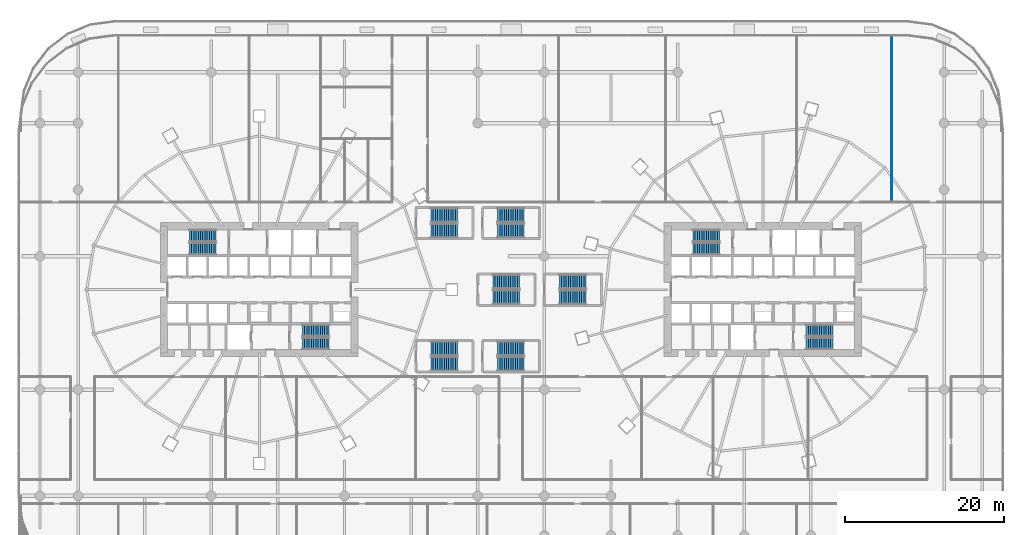
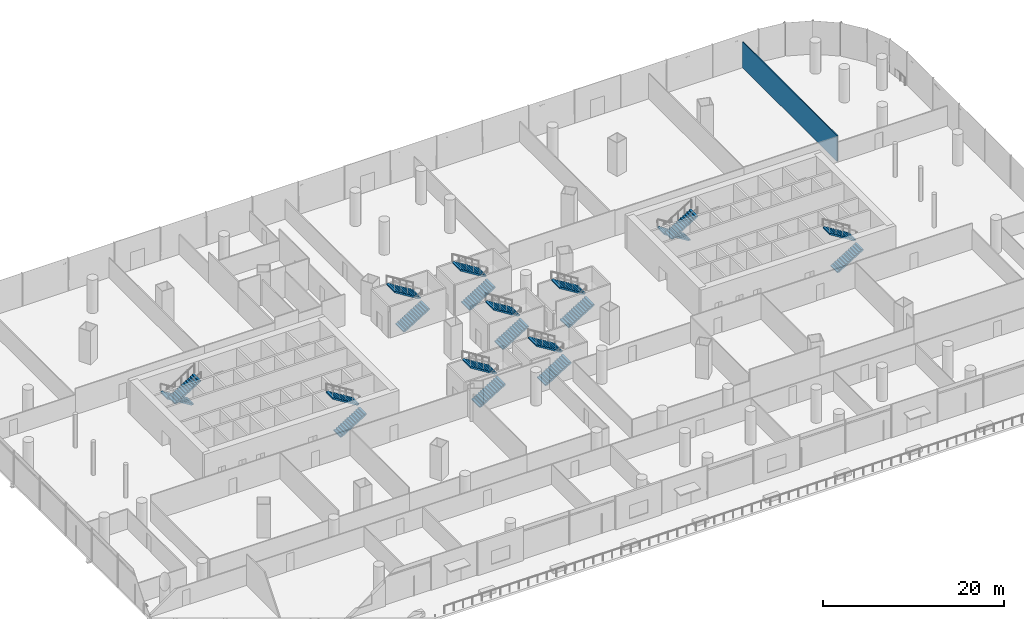
# One storey, part 35 of 43: 20 stair flights, 1 wall, 10 elements without a shape of their own.
"""IFC4 building model written with IfcOpenShell, lengths in metres."""

import ifcopenshell
import ifcopenshell.guid

model = None  # the IFC model being written
_history = None  # IfcOwnerHistory: only IFC2X3 demands one
_inside = {}  # id of a spatial element -> (the spatial element, [elements in it])
_under = {}  # id of a project, library or spatial element -> (it, [spatial elements below it])
_declared = {}  # id of a project -> (the project, [libraries it declares])
_typed = {}  # id of a type object -> (the type object, [elements of that type])
_made_of = {}  # id of a material, layer set ... -> (it, [elements and type objects made of it])


def new_model(schema):
    """Start an empty IFC model of exactly this schema.

    Asked for "IFC4X3", IfcOpenShell would pick the latest addendum, in which some entities
    have other attributes; the version numbers below select the first issue.
    IFC2X3 requires an IfcOwnerHistory on every rooted entity: one is made here for all.
    """
    global model, _history
    if schema == "IFC4X3":
        model = ifcopenshell.file(schema_version=(4, 3, 0, 0))
    else:
        model = ifcopenshell.file(schema=schema)
    _inside.clear()
    _under.clear()
    _declared.clear()
    _typed.clear()
    _made_of.clear()
    _history = None
    if model.schema == "IFC2X3":
        org = make("IfcOrganization", Name="unknown")
        user = make(
            "IfcPersonAndOrganization",
            ThePerson=make("IfcPerson", FamilyName="unknown"),
            TheOrganization=org,
        )
        app = make(
            "IfcApplication",
            ApplicationDeveloper=org,
            Version="unknown",
            ApplicationFullName="unknown",
            ApplicationIdentifier="unknown",
        )
        _history = make(
            "IfcOwnerHistory",
            OwningUser=user,
            OwningApplication=app,
            ChangeAction="ADDED",
            CreationDate=0,
        )
    return model


def make(cls, **values):
    """One entity of the class cls with the attributes given. An attribute that is None is left unset."""
    return model.create_entity(
        cls, **{name: value for name, value in values.items() if value is not None}
    )


def rooted(cls, **values):
    """An entity with a GlobalId (a new one), such as an element, a storey or a relation."""
    return make(cls, GlobalId=ifcopenshell.guid.new(), OwnerHistory=_history, **values)


def si_unit(unit_type, name, prefix=None):
    """IfcSIUnit, for example si_unit("LENGTHUNIT", "METRE", prefix="MILLI")."""
    return make("IfcSIUnit", UnitType=unit_type, Prefix=prefix, Name=name)


def assignment(units):
    """IfcUnitAssignment: the units of a project."""
    return None if units is None else make("IfcUnitAssignment", Units=units)


def point(xyz):
    """IfcCartesianPoint."""
    return None if xyz is None else make("IfcCartesianPoint", Coordinates=xyz)


def direction(xyz):
    """IfcDirection."""
    return None if xyz is None else make("IfcDirection", DirectionRatios=xyz)


def frame(location, z_axis=None, x_axis=None):
    """IfcAxis2Placement3D, a coordinate frame: its origin and axes. An axis left out is left unset."""
    return make(
        "IfcAxis2Placement3D",
        Location=point(location),
        Axis=direction(z_axis),
        RefDirection=direction(x_axis),
    )


def frame_2d(location, x_axis=None):
    """IfcAxis2Placement2D, a coordinate frame in the plane: its origin and x axis."""
    return make(
        "IfcAxis2Placement2D", Location=point(location), RefDirection=direction(x_axis)
    )


def origin():
    """The frame at (0, 0, 0) with its axes left unset."""
    return frame((0.0, 0.0, 0.0))


def place(relative_to, where):
    """IfcLocalPlacement: puts the frame where relative to a parent placement (None: the world)."""
    return make(
        "IfcLocalPlacement", PlacementRelTo=relative_to, RelativePlacement=where
    )


def context(
    kind, dimensions, precision=None, world=None, true_north=None, identifier=None
):
    """IfcGeometricRepresentationContext, for example the 3D "Model" context."""
    return make(
        "IfcGeometricRepresentationContext",
        ContextIdentifier=identifier,
        ContextType=kind,
        CoordinateSpaceDimension=dimensions,
        Precision=precision,
        WorldCoordinateSystem=world,
        TrueNorth=true_north,
    )


def subcontext(parent, identifier, kind, view, scale=None):
    """IfcGeometricRepresentationSubContext, for example "Body" below "Model"."""
    return make(
        "IfcGeometricRepresentationSubContext",
        ContextIdentifier=identifier,
        ContextType=kind,
        ParentContext=parent,
        TargetScale=scale,
        TargetView=view,
    )


def project(units=None, contexts=None):
    """IfcProject with its units and contexts."""
    return rooted(
        "IfcProject",
        Name="project",
        RepresentationContexts=contexts,
        UnitsInContext=assignment(units),
    )


def spatial(cls, under=None, at=None, **own):
    """A site, building, storey or space (cls), placed at a placement, below another one or the project."""
    s = rooted(cls, ObjectPlacement=at, **own)
    if under is not None:
        _under.setdefault(under.id(), (under, []))[1].append(s)
    return s


def polyline(points):
    """IfcPolyline through the points."""
    return make("IfcPolyline", Points=[point(p) for p in points])


def profile(cls, at=None, kind="AREA", **sizes):
    """A parametric profile (cls). Its sizes go by their IFC names, for example OverallWidth=200.0."""
    return make(cls, ProfileType=kind, Position=at, **sizes)


def rectangle(**sizes):
    """IfcRectangleProfileDef."""
    return profile("IfcRectangleProfileDef", **sizes)


def outline(outer, holes=None, kind="AREA"):
    """IfcArbitraryClosedProfileDef: a profile drawn as a closed curve; with holes, ...WithVoids."""
    if holes is None:
        return make("IfcArbitraryClosedProfileDef", ProfileType=kind, OuterCurve=outer)
    return make(
        "IfcArbitraryProfileDefWithVoids",
        ProfileType=kind,
        OuterCurve=outer,
        InnerCurves=holes,
    )


def extrude(swept, where, along, depth):
    """IfcExtrudedAreaSolid: the profile swept, set in the frame where, extruded along a direction by depth."""
    return make(
        "IfcExtrudedAreaSolid",
        SweptArea=swept,
        Position=where,
        ExtrudedDirection=direction(along),
        Depth=depth,
    )


def shape(context_of_items, identifier, shape_type, items):
    """IfcShapeRepresentation: the items that make up one representation, for example the "Body"."""
    return make(
        "IfcShapeRepresentation",
        ContextOfItems=context_of_items,
        RepresentationIdentifier=identifier,
        RepresentationType=shape_type,
        Items=items,
    )


def material(Name=None, Category=None):
    """IfcMaterial."""
    return make("IfcMaterial", Name=Name, Category=Category)


def layer(
    of_material, thickness, ventilated=None, Name=None, Category=None, Priority=None
):
    """IfcMaterialLayer: one layer of a wall or slab, of a material (None: an air gap)."""
    return make(
        "IfcMaterialLayer",
        Material=of_material,
        LayerThickness=thickness,
        IsVentilated=ventilated,
        Name=Name,
        Category=Category,
        Priority=Priority,
    )


def layer_set(layers, Name=None):
    """IfcMaterialLayerSet."""
    return make("IfcMaterialLayerSet", MaterialLayers=layers, LayerSetName=Name)


def made_of(thing, what):
    """Note that an element or type object is made of a material, layer set ...; save() writes the relation."""
    if what is not None:
        _made_of.setdefault(what.id(), (what, []))[1].append(thing)
    return thing


def type_object(cls, material=None, **own):
    """A type object (cls), such as IfcWallType, which elements share."""
    return made_of(rooted(cls, **own), material)


def element(
    cls,
    number,
    at=None,
    inside=None,
    cuts=None,
    type_object=None,
    material=None,
    context=None,
    identifier="Body",
    shape_type=None,
    held_by="IfcProductDefinitionShape",
    body=None,
    shapes=None,
    **own,
):
    """One element of the class cls, such as IfcWall. Its Tag is "e" and its number.

    at: its placement. inside: the storey or other place that contains it. cuts: it is an
    opening in that element (IfcRelVoidsElement). A single representation is given by context,
    identifier, shape_type and body (its items); several are given by shapes. held_by: the class
    of the entity that holds the representations. save() writes the other relations.
    """
    e = rooted(cls, Tag="e%d" % number, ObjectPlacement=at, **own)
    if body is not None:
        shapes = [shape(context, identifier, shape_type, body)]
    if shapes is not None:
        e.Representation = make(held_by, Representations=shapes)
    if inside is not None:
        _inside.setdefault(inside.id(), (inside, []))[1].append(e)
    if cuts is not None:
        rooted(
            "IfcRelVoidsElement", RelatingBuildingElement=cuts, RelatedOpeningElement=e
        )
    if type_object is not None:
        _typed.setdefault(type_object.id(), (type_object, []))[1].append(e)
    return made_of(e, material)


def aggregate(whole, parts):
    """IfcRelAggregates: a whole, such as a stair, and the parts it consists of."""
    return rooted("IfcRelAggregates", RelatingObject=whole, RelatedObjects=parts)


def save(model, path):
    """Write the relations noted so far, then the file.

    IfcRelAggregates (storeys below a building ...), IfcRelContainedInSpatialStructure (elements
    in a storey), IfcRelDefinesByType, IfcRelAssociatesMaterial and IfcRelDeclares: one each for
    every whole, place, type object, material and project.
    """
    for whole, parts in _under.values():
        aggregate(whole, parts)
    for where, things in _inside.values():
        rooted(
            "IfcRelContainedInSpatialStructure",
            RelatedElements=things,
            RelatingStructure=where,
        )
    for kind, things in _typed.values():
        rooted("IfcRelDefinesByType", RelatedObjects=things, RelatingType=kind)
    for what, things in _made_of.values():
        rooted("IfcRelAssociatesMaterial", RelatedObjects=things, RelatingMaterial=what)
    for by, libraries in _declared.values():
        rooted("IfcRelDeclares", RelatingContext=by, RelatedDefinitions=libraries)
    model.write(path)


model = new_model("IFC4")

# Units and contexts
model_context = context("Model", 3, precision=1e-05, world=origin(), true_north=direction((0.0, 1.0)))
body_context = subcontext(model_context, "Body", "Model", "MODEL_VIEW")
ifc_project = project(units=[si_unit("LENGTHUNIT", "METRE"), si_unit("AREAUNIT", "SQUARE_METRE"), si_unit("VOLUMEUNIT", "CUBIC_METRE"), si_unit("PLANEANGLEUNIT", "RADIAN"), si_unit("MASSUNIT", "GRAM", prefix="KILO")], contexts=[model_context])

# Site, building, storey
site_placement = place(None, origin())
site = spatial("IfcSite", under=ifc_project, at=site_placement, CompositionType="ELEMENT")
building_placement = place(site_placement, origin())
building = spatial("IfcBuilding", under=site, at=building_placement, Name="Rimbun Link Towers", CompositionType="ELEMENT")
storey_placement = place(building_placement, frame((0.0, 0.0, 12.0)))
storey = spatial("IfcBuildingStorey", under=building, at=storey_placement, Name="L02", CompositionType="ELEMENT", Elevation=12.0)

# Wall
ifc_material_1 = material(Name="Gypsum board on steel studs", Category="steel")
ifc_layer = layer(ifc_material_1, 0.125)
ifc_layer_set = layer_set([ifc_layer], Name="Partition 125 board on studs")
wall_type = type_object("IfcWallType", Name="Partition 125 board on studs", PredefinedType="PARTITIONING", material=ifc_layer_set)
wall_placement = place(storey_placement, frame((48.0, 11.0625, 0.0), z_axis=(0.0, 0.0, 1.0), x_axis=(0.0, 1.0, 0.0)))
element("IfcWall", 1, at=wall_placement, inside=storey, type_object=wall_type, Name="PD/PW/L02/105", PredefinedType="PARTITIONING", context=body_context, shape_type="SweptSolid", body=[
    extrude(rectangle(XDim=21.017578125, YDim=0.125, at=frame_2d((10.5087890625, 0.0))), origin(), (0.0, 0.0, 1.0), 3.49609375),
])

# Stair, stair flights
ifc_material_2 = material(Name="Concrete C40/50", Category="concrete")
stair_type_1 = type_object("IfcStairType", Name="Exit stair 4500 rise", PredefinedType="HALF_TURN_STAIR", material=ifc_material_2)
stair_1_placement = place(storey_placement, origin())
stair_1 = element("IfcStair", 2, at=stair_1_placement, inside=storey, type_object=stair_type_1, Name="L02 EXIT STAIR A", PredefinedType="HALF_TURN_STAIR")
ifc_material_3 = material(Name="Concrete C40/50", Category="concrete")
stair_flight_type_1 = type_object("IfcStairFlightType", Name="Exit stair flight 4500 rise", PredefinedType="STRAIGHT", material=ifc_material_3)
stair_flight_1_placement = place(storey_placement, frame((-37.199951171875, 6.800048828125, 0.0), z_axis=(0.0, 0.0, 1.0), x_axis=(-1.0, 0.0, 0.0)))
stair_flight_1 = element("IfcStairFlight", 3, at=stair_flight_1_placement, type_object=stair_flight_type_1, Name="ST1 flight 1", NumberOfRisers=13, NumberOfTreads=12, PredefinedType="STRAIGHT", RiserHeight=0.173076923, TreadLength=0.28, context=body_context, shape_type="SweptSolid", body=[
    extrude(outline(polyline([(0.0, 0.0), (0.0, 0.173095703125), (0.280029296875, 0.173095703125), (0.280029296875, 0.34619140625), (0.56005859375, 0.34619140625), (0.56005859375, 0.519287109375), (0.840087890625, 0.519287109375), (0.840087890625, 0.6923828125), (1.1201171875, 0.6923828125), (1.1201171875, 0.865478515625), (1.39990234375, 0.865478515625), (1.39990234375, 1.03857421875), (1.679931640625, 1.03857421875), (1.679931640625, 1.21142578125), (1.9599609375, 1.21142578125), (1.9599609375, 1.384521484375), (2.239990234375, 1.384521484375), (2.239990234375, 1.5576171875), (2.52001953125, 1.5576171875), (2.52001953125, 1.730712890625), (2.800048828125, 1.730712890625), (2.800048828125, 1.90380859375), (3.080078125, 1.90380859375), (3.080078125, 2.076904296875), (3.360107421875, 2.076904296875), (3.360107421875, 2.25), (3.360107421875, 1.900634765625), (0.280029296875, 0.0), (0.0, 0.0)])), frame((0.0, 0.75, 0.0), z_axis=(0.0, -1.0, 0.0), x_axis=(1.0, 0.0, 0.0)), (0.0, 0.0, 1.0), 1.5),
])
stair_flight_2_placement = place(storey_placement, frame((-40.56005859375, 5.14990234375, 2.25), z_axis=(0.0, 0.0, 1.0), x_axis=(1.0, 0.0, 0.0)))
stair_flight_2 = element("IfcStairFlight", 4, at=stair_flight_2_placement, type_object=stair_flight_type_1, Name="ST1 flight 2", NumberOfRisers=13, NumberOfTreads=12, PredefinedType="STRAIGHT", RiserHeight=0.173076923, TreadLength=0.28, context=body_context, shape_type="SweptSolid", body=[
    extrude(outline(polyline([(0.0, 0.0), (0.0, 0.173095703125), (0.280029296875, 0.173095703125), (0.280029296875, 0.34619140625), (0.56005859375, 0.34619140625), (0.56005859375, 0.519287109375), (0.840087890625, 0.519287109375), (0.840087890625, 0.6923828125), (1.1201171875, 0.6923828125), (1.1201171875, 0.865478515625), (1.39990234375, 0.865478515625), (1.39990234375, 1.03857421875), (1.679931640625, 1.03857421875), (1.679931640625, 1.21142578125), (1.9599609375, 1.21142578125), (1.9599609375, 1.384521484375), (2.239990234375, 1.384521484375), (2.239990234375, 1.5576171875), (2.52001953125, 1.5576171875), (2.52001953125, 1.730712890625), (2.800048828125, 1.730712890625), (2.800048828125, 1.90380859375), (3.080078125, 1.90380859375), (3.080078125, 2.076904296875), (3.360107421875, 2.076904296875), (3.360107421875, 2.25), (3.360107421875, 1.900634765625), (0.280029296875, 0.0), (0.0, 0.0)])), frame((0.0, 0.75, 0.0), z_axis=(0.0, -1.0, 0.0), x_axis=(1.0, 0.0, 0.0)), (0.0, 0.0, 1.0), 1.5),
])
aggregate(stair_1, [stair_flight_1, stair_flight_2])

stair_2_placement = place(storey_placement, origin())
stair_2 = element("IfcStair", 5, at=stair_2_placement, inside=storey, type_object=stair_type_1, Name="L02 EXIT STAIR B", PredefinedType="HALF_TURN_STAIR")
stair_flight_3_placement = place(storey_placement, frame((-26.300048828125, -6.800048828125, 0.0), z_axis=(0.0, 0.0, 1.0), x_axis=(1.0, 0.0, 0.0)))
stair_flight_3 = element("IfcStairFlight", 6, at=stair_flight_3_placement, type_object=stair_flight_type_1, Name="ST2 flight 1", NumberOfRisers=13, NumberOfTreads=12, PredefinedType="STRAIGHT", RiserHeight=0.173076923, TreadLength=0.28, context=body_context, shape_type="SweptSolid", body=[
    extrude(outline(polyline([(0.0, 0.0), (0.0, 0.173095703125), (0.280029296875, 0.173095703125), (0.280029296875, 0.34619140625), (0.56005859375, 0.34619140625), (0.56005859375, 0.519287109375), (0.840087890625, 0.519287109375), (0.840087890625, 0.6923828125), (1.1201171875, 0.6923828125), (1.1201171875, 0.865478515625), (1.39990234375, 0.865478515625), (1.39990234375, 1.03857421875), (1.679931640625, 1.03857421875), (1.679931640625, 1.21142578125), (1.9599609375, 1.21142578125), (1.9599609375, 1.384521484375), (2.239990234375, 1.384521484375), (2.239990234375, 1.5576171875), (2.52001953125, 1.5576171875), (2.52001953125, 1.730712890625), (2.800048828125, 1.730712890625), (2.800048828125, 1.90380859375), (3.080078125, 1.90380859375), (3.080078125, 2.076904296875), (3.360107421875, 2.076904296875), (3.360107421875, 2.25), (3.360107421875, 1.900634765625), (0.280029296875, 0.0), (0.0, 0.0)])), frame((0.0, 0.75, 0.0), z_axis=(0.0, -1.0, 0.0), x_axis=(1.0, 0.0, 0.0)), (0.0, 0.0, 1.0), 1.5),
])
stair_flight_4_placement = place(storey_placement, frame((-22.93994140625, -5.14990234375, 2.25), z_axis=(0.0, 0.0, 1.0), x_axis=(-1.0, 0.0, 0.0)))
stair_flight_4 = element("IfcStairFlight", 7, at=stair_flight_4_placement, type_object=stair_flight_type_1, Name="ST2 flight 2", NumberOfRisers=13, NumberOfTreads=12, PredefinedType="STRAIGHT", RiserHeight=0.173076923, TreadLength=0.28, context=body_context, shape_type="SweptSolid", body=[
    extrude(outline(polyline([(0.0, 0.0), (0.0, 0.173095703125), (0.280029296875, 0.173095703125), (0.280029296875, 0.34619140625), (0.56005859375, 0.34619140625), (0.56005859375, 0.519287109375), (0.840087890625, 0.519287109375), (0.840087890625, 0.6923828125), (1.1201171875, 0.6923828125), (1.1201171875, 0.865478515625), (1.39990234375, 0.865478515625), (1.39990234375, 1.03857421875), (1.679931640625, 1.03857421875), (1.679931640625, 1.21142578125), (1.9599609375, 1.21142578125), (1.9599609375, 1.384521484375), (2.239990234375, 1.384521484375), (2.239990234375, 1.5576171875), (2.52001953125, 1.5576171875), (2.52001953125, 1.730712890625), (2.800048828125, 1.730712890625), (2.800048828125, 1.90380859375), (3.080078125, 1.90380859375), (3.080078125, 2.076904296875), (3.360107421875, 2.076904296875), (3.360107421875, 2.25), (3.360107421875, 1.900634765625), (0.280029296875, 0.0), (0.0, 0.0)])), frame((0.0, 0.75, 0.0), z_axis=(0.0, -1.0, 0.0), x_axis=(1.0, 0.0, 0.0)), (0.0, 0.0, 1.0), 1.5),
])
aggregate(stair_2, [stair_flight_3, stair_flight_4])

stair_3_placement = place(storey_placement, origin())
stair_3 = element("IfcStair", 8, at=stair_3_placement, inside=storey, type_object=stair_type_1, Name="L02 EXIT STAIR A", PredefinedType="HALF_TURN_STAIR")
stair_flight_5_placement = place(storey_placement, frame((26.300048828125, 6.800048828125, 0.0), z_axis=(0.0, 0.0, 1.0), x_axis=(-1.0, 0.0, 0.0)))
stair_flight_5 = element("IfcStairFlight", 9, at=stair_flight_5_placement, type_object=stair_flight_type_1, Name="ST3 flight 1", NumberOfRisers=13, NumberOfTreads=12, PredefinedType="STRAIGHT", RiserHeight=0.173076923, TreadLength=0.28, context=body_context, shape_type="SweptSolid", body=[
    extrude(outline(polyline([(0.0, 0.0), (0.0, 0.173095703125), (0.280029296875, 0.173095703125), (0.280029296875, 0.34619140625), (0.56005859375, 0.34619140625), (0.56005859375, 0.519287109375), (0.840087890625, 0.519287109375), (0.840087890625, 0.6923828125), (1.1201171875, 0.6923828125), (1.1201171875, 0.865478515625), (1.39990234375, 0.865478515625), (1.39990234375, 1.03857421875), (1.679931640625, 1.03857421875), (1.679931640625, 1.21142578125), (1.9599609375, 1.21142578125), (1.9599609375, 1.384521484375), (2.239990234375, 1.384521484375), (2.239990234375, 1.5576171875), (2.52001953125, 1.5576171875), (2.52001953125, 1.730712890625), (2.800048828125, 1.730712890625), (2.800048828125, 1.90380859375), (3.080078125, 1.90380859375), (3.080078125, 2.076904296875), (3.360107421875, 2.076904296875), (3.360107421875, 2.25), (3.360107421875, 1.900634765625), (0.280029296875, 0.0), (0.0, 0.0)])), frame((0.0, 0.75, 0.0), z_axis=(0.0, -1.0, 0.0), x_axis=(1.0, 0.0, 0.0)), (0.0, 0.0, 1.0), 1.5),
])
stair_flight_6_placement = place(storey_placement, frame((22.93994140625, 5.14990234375, 2.25), z_axis=(0.0, 0.0, 1.0), x_axis=(1.0, 0.0, 0.0)))
stair_flight_6 = element("IfcStairFlight", 10, at=stair_flight_6_placement, type_object=stair_flight_type_1, Name="ST3 flight 2", NumberOfRisers=13, NumberOfTreads=12, PredefinedType="STRAIGHT", RiserHeight=0.173076923, TreadLength=0.28, context=body_context, shape_type="SweptSolid", body=[
    extrude(outline(polyline([(0.0, 0.0), (0.0, 0.173095703125), (0.280029296875, 0.173095703125), (0.280029296875, 0.34619140625), (0.56005859375, 0.34619140625), (0.56005859375, 0.519287109375), (0.840087890625, 0.519287109375), (0.840087890625, 0.6923828125), (1.1201171875, 0.6923828125), (1.1201171875, 0.865478515625), (1.39990234375, 0.865478515625), (1.39990234375, 1.03857421875), (1.679931640625, 1.03857421875), (1.679931640625, 1.21142578125), (1.9599609375, 1.21142578125), (1.9599609375, 1.384521484375), (2.239990234375, 1.384521484375), (2.239990234375, 1.5576171875), (2.52001953125, 1.5576171875), (2.52001953125, 1.730712890625), (2.800048828125, 1.730712890625), (2.800048828125, 1.90380859375), (3.080078125, 1.90380859375), (3.080078125, 2.076904296875), (3.360107421875, 2.076904296875), (3.360107421875, 2.25), (3.360107421875, 1.900634765625), (0.280029296875, 0.0), (0.0, 0.0)])), frame((0.0, 0.75, 0.0), z_axis=(0.0, -1.0, 0.0), x_axis=(1.0, 0.0, 0.0)), (0.0, 0.0, 1.0), 1.5),
])
aggregate(stair_3, [stair_flight_5, stair_flight_6])

stair_4_placement = place(storey_placement, origin())
stair_4 = element("IfcStair", 11, at=stair_4_placement, inside=storey, type_object=stair_type_1, Name="L02 EXIT STAIR B", PredefinedType="HALF_TURN_STAIR")
stair_flight_7_placement = place(storey_placement, frame((37.199951171875, -6.800048828125, 0.0), z_axis=(0.0, 0.0, 1.0), x_axis=(1.0, 0.0, 0.0)))
stair_flight_7 = element("IfcStairFlight", 12, at=stair_flight_7_placement, type_object=stair_flight_type_1, Name="ST4 flight 1", NumberOfRisers=13, NumberOfTreads=12, PredefinedType="STRAIGHT", RiserHeight=0.173076923, TreadLength=0.28, context=body_context, shape_type="SweptSolid", body=[
    extrude(outline(polyline([(0.0, 0.0), (0.0, 0.173095703125), (0.280029296875, 0.173095703125), (0.280029296875, 0.34619140625), (0.56005859375, 0.34619140625), (0.56005859375, 0.519287109375), (0.840087890625, 0.519287109375), (0.840087890625, 0.6923828125), (1.1201171875, 0.6923828125), (1.1201171875, 0.865478515625), (1.39990234375, 0.865478515625), (1.39990234375, 1.03857421875), (1.679931640625, 1.03857421875), (1.679931640625, 1.21142578125), (1.9599609375, 1.21142578125), (1.9599609375, 1.384521484375), (2.239990234375, 1.384521484375), (2.239990234375, 1.5576171875), (2.52001953125, 1.5576171875), (2.52001953125, 1.730712890625), (2.800048828125, 1.730712890625), (2.800048828125, 1.90380859375), (3.080078125, 1.90380859375), (3.080078125, 2.076904296875), (3.360107421875, 2.076904296875), (3.360107421875, 2.25), (3.360107421875, 1.900634765625), (0.280029296875, 0.0), (0.0, 0.0)])), frame((0.0, 0.75, 0.0), z_axis=(0.0, -1.0, 0.0), x_axis=(1.0, 0.0, 0.0)), (0.0, 0.0, 1.0), 1.5),
])
stair_flight_8_placement = place(storey_placement, frame((40.56005859375, -5.14990234375, 2.25), z_axis=(0.0, 0.0, 1.0), x_axis=(-1.0, 0.0, 0.0)))
stair_flight_8 = element("IfcStairFlight", 13, at=stair_flight_8_placement, type_object=stair_flight_type_1, Name="ST4 flight 2", NumberOfRisers=13, NumberOfTreads=12, PredefinedType="STRAIGHT", RiserHeight=0.173076923, TreadLength=0.28, context=body_context, shape_type="SweptSolid", body=[
    extrude(outline(polyline([(0.0, 0.0), (0.0, 0.173095703125), (0.280029296875, 0.173095703125), (0.280029296875, 0.34619140625), (0.56005859375, 0.34619140625), (0.56005859375, 0.519287109375), (0.840087890625, 0.519287109375), (0.840087890625, 0.6923828125), (1.1201171875, 0.6923828125), (1.1201171875, 0.865478515625), (1.39990234375, 0.865478515625), (1.39990234375, 1.03857421875), (1.679931640625, 1.03857421875), (1.679931640625, 1.21142578125), (1.9599609375, 1.21142578125), (1.9599609375, 1.384521484375), (2.239990234375, 1.384521484375), (2.239990234375, 1.5576171875), (2.52001953125, 1.5576171875), (2.52001953125, 1.730712890625), (2.800048828125, 1.730712890625), (2.800048828125, 1.90380859375), (3.080078125, 1.90380859375), (3.080078125, 2.076904296875), (3.360107421875, 2.076904296875), (3.360107421875, 2.25), (3.360107421875, 1.900634765625), (0.280029296875, 0.0), (0.0, 0.0)])), frame((0.0, 0.75, 0.0), z_axis=(0.0, -1.0, 0.0), x_axis=(1.0, 0.0, 0.0)), (0.0, 0.0, 1.0), 1.5),
])
aggregate(stair_4, [stair_flight_7, stair_flight_8])

ifc_material_4 = material(Name="Concrete C40/50", Category="concrete")
stair_type_2 = type_object("IfcStairType", Name="Podium exit stair 1800", PredefinedType="HALF_TURN_STAIR", material=ifc_material_4)
stair_5_placement = place(storey_placement, origin())
stair_5 = element("IfcStair", 14, at=stair_5_placement, inside=storey, type_object=stair_type_2, Name="L02 PODIUM EXIT STAIR", PredefinedType="HALF_TURN_STAIR")
ifc_material_5 = material(Name="Concrete C40/50", Category="concrete")
stair_flight_type_2 = type_object("IfcStairFlightType", Name="Podium exit stair flight 1800", PredefinedType="STRAIGHT", material=ifc_material_5)
stair_flight_9_placement = place(storey_placement, frame((-10.10009765625, -9.375, 0.0), z_axis=(0.0, 0.0, 1.0), x_axis=(1.0, 0.0, 0.0)))
stair_flight_9 = element("IfcStairFlight", 15, at=stair_flight_9_placement, type_object=stair_flight_type_2, Name="PS1 flight 1", NumberOfRisers=13, NumberOfTreads=12, PredefinedType="STRAIGHT", RiserHeight=0.173076923, TreadLength=0.28, context=body_context, shape_type="SweptSolid", body=[
    extrude(outline(polyline([(0.0, 0.0), (0.0, 0.173095703125), (0.280029296875, 0.173095703125), (0.280029296875, 0.34619140625), (0.56005859375, 0.34619140625), (0.56005859375, 0.519287109375), (0.840087890625, 0.519287109375), (0.840087890625, 0.6923828125), (1.1201171875, 0.6923828125), (1.1201171875, 0.865478515625), (1.39990234375, 0.865478515625), (1.39990234375, 1.03857421875), (1.679931640625, 1.03857421875), (1.679931640625, 1.21142578125), (1.9599609375, 1.21142578125), (1.9599609375, 1.384521484375), (2.239990234375, 1.384521484375), (2.239990234375, 1.5576171875), (2.52001953125, 1.5576171875), (2.52001953125, 1.730712890625), (2.800048828125, 1.730712890625), (2.800048828125, 1.90380859375), (3.080078125, 1.90380859375), (3.080078125, 2.076904296875), (3.360107421875, 2.076904296875), (3.360107421875, 2.25), (3.360107421875, 1.900634765625), (0.280029296875, 0.0), (0.0, 0.0)])), frame((0.0, 0.89990234375, 0.0), z_axis=(0.0, -1.0, 0.0), x_axis=(1.0, 0.0, 0.0)), (0.0, 0.0, 1.0), 1.800048828125),
])
stair_flight_10_placement = place(storey_placement, frame((-6.739990234375, -7.425048828125, 2.25), z_axis=(0.0, 0.0, 1.0), x_axis=(-1.0, 0.0, 0.0)))
stair_flight_10 = element("IfcStairFlight", 16, at=stair_flight_10_placement, type_object=stair_flight_type_2, Name="PS1 flight 2", NumberOfRisers=13, NumberOfTreads=12, PredefinedType="STRAIGHT", RiserHeight=0.173076923, TreadLength=0.28, context=body_context, shape_type="SweptSolid", body=[
    extrude(outline(polyline([(0.0, 0.0), (0.0, 0.173095703125), (0.280029296875, 0.173095703125), (0.280029296875, 0.34619140625), (0.56005859375, 0.34619140625), (0.56005859375, 0.519287109375), (0.840087890625, 0.519287109375), (0.840087890625, 0.6923828125), (1.1201171875, 0.6923828125), (1.1201171875, 0.865478515625), (1.39990234375, 0.865478515625), (1.39990234375, 1.03857421875), (1.679931640625, 1.03857421875), (1.679931640625, 1.21142578125), (1.9599609375, 1.21142578125), (1.9599609375, 1.384521484375), (2.239990234375, 1.384521484375), (2.239990234375, 1.5576171875), (2.52001953125, 1.5576171875), (2.52001953125, 1.730712890625), (2.800048828125, 1.730712890625), (2.800048828125, 1.90380859375), (3.080078125, 1.90380859375), (3.080078125, 2.076904296875), (3.360107421875, 2.076904296875), (3.360107421875, 2.25), (3.360107421875, 1.900634765625), (0.280029296875, 0.0), (0.0, 0.0)])), frame((0.0, 0.89990234375, 0.0), z_axis=(0.0, -1.0, 0.0), x_axis=(1.0, 0.0, 0.0)), (0.0, 0.0, 1.0), 1.800048828125),
])
aggregate(stair_5, [stair_flight_9, stair_flight_10])

stair_6_placement = place(storey_placement, origin())
stair_6 = element("IfcStair", 17, at=stair_6_placement, inside=storey, type_object=stair_type_2, Name="L02 PODIUM EXIT STAIR", PredefinedType="HALF_TURN_STAIR")
stair_flight_11_placement = place(storey_placement, frame((-1.699951171875, -9.375, 0.0), z_axis=(0.0, 0.0, 1.0), x_axis=(1.0, 0.0, 0.0)))
stair_flight_11 = element("IfcStairFlight", 18, at=stair_flight_11_placement, type_object=stair_flight_type_2, Name="PS2 flight 1", NumberOfRisers=13, NumberOfTreads=12, PredefinedType="STRAIGHT", RiserHeight=0.173076923, TreadLength=0.28, context=body_context, shape_type="SweptSolid", body=[
    extrude(outline(polyline([(0.0, 0.0), (0.0, 0.173095703125), (0.280029296875, 0.173095703125), (0.280029296875, 0.34619140625), (0.56005859375, 0.34619140625), (0.56005859375, 0.519287109375), (0.840087890625, 0.519287109375), (0.840087890625, 0.6923828125), (1.1201171875, 0.6923828125), (1.1201171875, 0.865478515625), (1.39990234375, 0.865478515625), (1.39990234375, 1.03857421875), (1.679931640625, 1.03857421875), (1.679931640625, 1.21142578125), (1.9599609375, 1.21142578125), (1.9599609375, 1.384521484375), (2.239990234375, 1.384521484375), (2.239990234375, 1.5576171875), (2.52001953125, 1.5576171875), (2.52001953125, 1.730712890625), (2.800048828125, 1.730712890625), (2.800048828125, 1.90380859375), (3.080078125, 1.90380859375), (3.080078125, 2.076904296875), (3.360107421875, 2.076904296875), (3.360107421875, 2.25), (3.360107421875, 1.900634765625), (0.280029296875, 0.0), (0.0, 0.0)])), frame((0.0, 0.89990234375, 0.0), z_axis=(0.0, -1.0, 0.0), x_axis=(1.0, 0.0, 0.0)), (0.0, 0.0, 1.0), 1.800048828125),
])
stair_flight_12_placement = place(storey_placement, frame((1.659912109375, -7.425048828125, 2.25), z_axis=(0.0, 0.0, 1.0), x_axis=(-1.0, 0.0, 0.0)))
stair_flight_12 = element("IfcStairFlight", 19, at=stair_flight_12_placement, type_object=stair_flight_type_2, Name="PS2 flight 2", NumberOfRisers=13, NumberOfTreads=12, PredefinedType="STRAIGHT", RiserHeight=0.173076923, TreadLength=0.28, context=body_context, shape_type="SweptSolid", body=[
    extrude(outline(polyline([(0.0, 0.0), (0.0, 0.173095703125), (0.280029296875, 0.173095703125), (0.280029296875, 0.34619140625), (0.56005859375, 0.34619140625), (0.56005859375, 0.519287109375), (0.840087890625, 0.519287109375), (0.840087890625, 0.6923828125), (1.1201171875, 0.6923828125), (1.1201171875, 0.865478515625), (1.39990234375, 0.865478515625), (1.39990234375, 1.03857421875), (1.679931640625, 1.03857421875), (1.679931640625, 1.21142578125), (1.9599609375, 1.21142578125), (1.9599609375, 1.384521484375), (2.239990234375, 1.384521484375), (2.239990234375, 1.5576171875), (2.52001953125, 1.5576171875), (2.52001953125, 1.730712890625), (2.800048828125, 1.730712890625), (2.800048828125, 1.90380859375), (3.080078125, 1.90380859375), (3.080078125, 2.076904296875), (3.360107421875, 2.076904296875), (3.360107421875, 2.25), (3.360107421875, 1.900634765625), (0.280029296875, 0.0), (0.0, 0.0)])), frame((0.0, 0.89990234375, 0.0), z_axis=(0.0, -1.0, 0.0), x_axis=(1.0, 0.0, 0.0)), (0.0, 0.0, 1.0), 1.800048828125),
])
aggregate(stair_6, [stair_flight_11, stair_flight_12])

stair_7_placement = place(storey_placement, origin())
stair_7 = element("IfcStair", 20, at=stair_7_placement, inside=storey, type_object=stair_type_2, Name="L02 PODIUM EXIT STAIR", PredefinedType="HALF_TURN_STAIR")
stair_flight_13_placement = place(storey_placement, frame((-10.10009765625, 7.425048828125, 0.0), z_axis=(0.0, 0.0, 1.0), x_axis=(1.0, 0.0, 0.0)))
stair_flight_13 = element("IfcStairFlight", 21, at=stair_flight_13_placement, type_object=stair_flight_type_2, Name="PS3 flight 1", NumberOfRisers=13, NumberOfTreads=12, PredefinedType="STRAIGHT", RiserHeight=0.173076923, TreadLength=0.28, context=body_context, shape_type="SweptSolid", body=[
    extrude(outline(polyline([(0.0, 0.0), (0.0, 0.173095703125), (0.280029296875, 0.173095703125), (0.280029296875, 0.34619140625), (0.56005859375, 0.34619140625), (0.56005859375, 0.519287109375), (0.840087890625, 0.519287109375), (0.840087890625, 0.6923828125), (1.1201171875, 0.6923828125), (1.1201171875, 0.865478515625), (1.39990234375, 0.865478515625), (1.39990234375, 1.03857421875), (1.679931640625, 1.03857421875), (1.679931640625, 1.21142578125), (1.9599609375, 1.21142578125), (1.9599609375, 1.384521484375), (2.239990234375, 1.384521484375), (2.239990234375, 1.5576171875), (2.52001953125, 1.5576171875), (2.52001953125, 1.730712890625), (2.800048828125, 1.730712890625), (2.800048828125, 1.90380859375), (3.080078125, 1.90380859375), (3.080078125, 2.076904296875), (3.360107421875, 2.076904296875), (3.360107421875, 2.25), (3.360107421875, 1.900634765625), (0.280029296875, 0.0), (0.0, 0.0)])), frame((0.0, 0.89990234375, 0.0), z_axis=(0.0, -1.0, 0.0), x_axis=(1.0, 0.0, 0.0)), (0.0, 0.0, 1.0), 1.800048828125),
])
stair_flight_14_placement = place(storey_placement, frame((-6.739990234375, 9.375, 2.25), z_axis=(0.0, 0.0, 1.0), x_axis=(-1.0, 0.0, 0.0)))
stair_flight_14 = element("IfcStairFlight", 22, at=stair_flight_14_placement, type_object=stair_flight_type_2, Name="PS3 flight 2", NumberOfRisers=13, NumberOfTreads=12, PredefinedType="STRAIGHT", RiserHeight=0.173076923, TreadLength=0.28, context=body_context, shape_type="SweptSolid", body=[
    extrude(outline(polyline([(0.0, 0.0), (0.0, 0.173095703125), (0.280029296875, 0.173095703125), (0.280029296875, 0.34619140625), (0.56005859375, 0.34619140625), (0.56005859375, 0.519287109375), (0.840087890625, 0.519287109375), (0.840087890625, 0.6923828125), (1.1201171875, 0.6923828125), (1.1201171875, 0.865478515625), (1.39990234375, 0.865478515625), (1.39990234375, 1.03857421875), (1.679931640625, 1.03857421875), (1.679931640625, 1.21142578125), (1.9599609375, 1.21142578125), (1.9599609375, 1.384521484375), (2.239990234375, 1.384521484375), (2.239990234375, 1.5576171875), (2.52001953125, 1.5576171875), (2.52001953125, 1.730712890625), (2.800048828125, 1.730712890625), (2.800048828125, 1.90380859375), (3.080078125, 1.90380859375), (3.080078125, 2.076904296875), (3.360107421875, 2.076904296875), (3.360107421875, 2.25), (3.360107421875, 1.900634765625), (0.280029296875, 0.0), (0.0, 0.0)])), frame((0.0, 0.89990234375, 0.0), z_axis=(0.0, -1.0, 0.0), x_axis=(1.0, 0.0, 0.0)), (0.0, 0.0, 1.0), 1.800048828125),
])
aggregate(stair_7, [stair_flight_13, stair_flight_14])

stair_8_placement = place(storey_placement, origin())
stair_8 = element("IfcStair", 23, at=stair_8_placement, inside=storey, type_object=stair_type_2, Name="L02 PODIUM EXIT STAIR", PredefinedType="HALF_TURN_STAIR")
stair_flight_15_placement = place(storey_placement, frame((-1.699951171875, 7.425048828125, 0.0), z_axis=(0.0, 0.0, 1.0), x_axis=(1.0, 0.0, 0.0)))
stair_flight_15 = element("IfcStairFlight", 24, at=stair_flight_15_placement, type_object=stair_flight_type_2, Name="PS4 flight 1", NumberOfRisers=13, NumberOfTreads=12, PredefinedType="STRAIGHT", RiserHeight=0.173076923, TreadLength=0.28, context=body_context, shape_type="SweptSolid", body=[
    extrude(outline(polyline([(0.0, 0.0), (0.0, 0.173095703125), (0.280029296875, 0.173095703125), (0.280029296875, 0.34619140625), (0.56005859375, 0.34619140625), (0.56005859375, 0.519287109375), (0.840087890625, 0.519287109375), (0.840087890625, 0.6923828125), (1.1201171875, 0.6923828125), (1.1201171875, 0.865478515625), (1.39990234375, 0.865478515625), (1.39990234375, 1.03857421875), (1.679931640625, 1.03857421875), (1.679931640625, 1.21142578125), (1.9599609375, 1.21142578125), (1.9599609375, 1.384521484375), (2.239990234375, 1.384521484375), (2.239990234375, 1.5576171875), (2.52001953125, 1.5576171875), (2.52001953125, 1.730712890625), (2.800048828125, 1.730712890625), (2.800048828125, 1.90380859375), (3.080078125, 1.90380859375), (3.080078125, 2.076904296875), (3.360107421875, 2.076904296875), (3.360107421875, 2.25), (3.360107421875, 1.900634765625), (0.280029296875, 0.0), (0.0, 0.0)])), frame((0.0, 0.89990234375, 0.0), z_axis=(0.0, -1.0, 0.0), x_axis=(1.0, 0.0, 0.0)), (0.0, 0.0, 1.0), 1.800048828125),
])
stair_flight_16_placement = place(storey_placement, frame((1.659912109375, 9.375, 2.25), z_axis=(0.0, 0.0, 1.0), x_axis=(-1.0, 0.0, 0.0)))
stair_flight_16 = element("IfcStairFlight", 25, at=stair_flight_16_placement, type_object=stair_flight_type_2, Name="PS4 flight 2", NumberOfRisers=13, NumberOfTreads=12, PredefinedType="STRAIGHT", RiserHeight=0.173076923, TreadLength=0.28, context=body_context, shape_type="SweptSolid", body=[
    extrude(outline(polyline([(0.0, 0.0), (0.0, 0.173095703125), (0.280029296875, 0.173095703125), (0.280029296875, 0.34619140625), (0.56005859375, 0.34619140625), (0.56005859375, 0.519287109375), (0.840087890625, 0.519287109375), (0.840087890625, 0.6923828125), (1.1201171875, 0.6923828125), (1.1201171875, 0.865478515625), (1.39990234375, 0.865478515625), (1.39990234375, 1.03857421875), (1.679931640625, 1.03857421875), (1.679931640625, 1.21142578125), (1.9599609375, 1.21142578125), (1.9599609375, 1.384521484375), (2.239990234375, 1.384521484375), (2.239990234375, 1.5576171875), (2.52001953125, 1.5576171875), (2.52001953125, 1.730712890625), (2.800048828125, 1.730712890625), (2.800048828125, 1.90380859375), (3.080078125, 1.90380859375), (3.080078125, 2.076904296875), (3.360107421875, 2.076904296875), (3.360107421875, 2.25), (3.360107421875, 1.900634765625), (0.280029296875, 0.0), (0.0, 0.0)])), frame((0.0, 0.89990234375, 0.0), z_axis=(0.0, -1.0, 0.0), x_axis=(1.0, 0.0, 0.0)), (0.0, 0.0, 1.0), 1.800048828125),
])
aggregate(stair_8, [stair_flight_15, stair_flight_16])

stair_9_placement = place(storey_placement, origin())
stair_9 = element("IfcStair", 26, at=stair_9_placement, inside=storey, type_object=stair_type_2, Name="L02 PODIUM EXIT STAIR", PredefinedType="HALF_TURN_STAIR")
stair_flight_17_placement = place(storey_placement, frame((6.10009765625, -0.97509765625, 0.0), z_axis=(0.0, 0.0, 1.0), x_axis=(1.0, 0.0, 0.0)))
stair_flight_17 = element("IfcStairFlight", 27, at=stair_flight_17_placement, type_object=stair_flight_type_2, Name="PS5 flight 1", NumberOfRisers=13, NumberOfTreads=12, PredefinedType="STRAIGHT", RiserHeight=0.173076923, TreadLength=0.28, context=body_context, shape_type="SweptSolid", body=[
    extrude(outline(polyline([(0.0, 0.0), (0.0, 0.173095703125), (0.280029296875, 0.173095703125), (0.280029296875, 0.34619140625), (0.56005859375, 0.34619140625), (0.56005859375, 0.519287109375), (0.840087890625, 0.519287109375), (0.840087890625, 0.6923828125), (1.1201171875, 0.6923828125), (1.1201171875, 0.865478515625), (1.39990234375, 0.865478515625), (1.39990234375, 1.03857421875), (1.679931640625, 1.03857421875), (1.679931640625, 1.21142578125), (1.9599609375, 1.21142578125), (1.9599609375, 1.384521484375), (2.239990234375, 1.384521484375), (2.239990234375, 1.5576171875), (2.52001953125, 1.5576171875), (2.52001953125, 1.730712890625), (2.800048828125, 1.730712890625), (2.800048828125, 1.90380859375), (3.080078125, 1.90380859375), (3.080078125, 2.076904296875), (3.360107421875, 2.076904296875), (3.360107421875, 2.25), (3.360107421875, 1.900634765625), (0.280029296875, 0.0), (0.0, 0.0)])), frame((0.0, 0.89990234375, 0.0), z_axis=(0.0, -1.0, 0.0), x_axis=(1.0, 0.0, 0.0)), (0.0, 0.0, 1.0), 1.800048828125),
])
stair_flight_18_placement = place(storey_placement, frame((9.4599609375, 0.97509765625, 2.25), z_axis=(0.0, 0.0, 1.0), x_axis=(-1.0, 0.0, 0.0)))
stair_flight_18 = element("IfcStairFlight", 28, at=stair_flight_18_placement, type_object=stair_flight_type_2, Name="PS5 flight 2", NumberOfRisers=13, NumberOfTreads=12, PredefinedType="STRAIGHT", RiserHeight=0.173076923, TreadLength=0.28, context=body_context, shape_type="SweptSolid", body=[
    extrude(outline(polyline([(0.0, 0.0), (0.0, 0.173095703125), (0.280029296875, 0.173095703125), (0.280029296875, 0.34619140625), (0.56005859375, 0.34619140625), (0.56005859375, 0.519287109375), (0.840087890625, 0.519287109375), (0.840087890625, 0.6923828125), (1.1201171875, 0.6923828125), (1.1201171875, 0.865478515625), (1.39990234375, 0.865478515625), (1.39990234375, 1.03857421875), (1.679931640625, 1.03857421875), (1.679931640625, 1.21142578125), (1.9599609375, 1.21142578125), (1.9599609375, 1.384521484375), (2.239990234375, 1.384521484375), (2.239990234375, 1.5576171875), (2.52001953125, 1.5576171875), (2.52001953125, 1.730712890625), (2.800048828125, 1.730712890625), (2.800048828125, 1.90380859375), (3.080078125, 1.90380859375), (3.080078125, 2.076904296875), (3.360107421875, 2.076904296875), (3.360107421875, 2.25), (3.360107421875, 1.900634765625), (0.280029296875, 0.0), (0.0, 0.0)])), frame((0.0, 0.89990234375, 0.0), z_axis=(0.0, -1.0, 0.0), x_axis=(1.0, 0.0, 0.0)), (0.0, 0.0, 1.0), 1.800048828125),
])
aggregate(stair_9, [stair_flight_17, stair_flight_18])

stair_10_placement = place(storey_placement, origin())
stair_10 = element("IfcStair", 29, at=stair_10_placement, inside=storey, type_object=stair_type_2, Name="L02 PODIUM EXIT STAIR", PredefinedType="HALF_TURN_STAIR")
stair_flight_19_placement = place(storey_placement, frame((-2.300048828125, -0.97509765625, 0.0), z_axis=(0.0, 0.0, 1.0), x_axis=(1.0, 0.0, 0.0)))
stair_flight_19 = element("IfcStairFlight", 30, at=stair_flight_19_placement, type_object=stair_flight_type_2, Name="PS6 flight 1", NumberOfRisers=13, NumberOfTreads=12, PredefinedType="STRAIGHT", RiserHeight=0.173076923, TreadLength=0.28, context=body_context, shape_type="SweptSolid", body=[
    extrude(outline(polyline([(0.0, 0.0), (0.0, 0.173095703125), (0.280029296875, 0.173095703125), (0.280029296875, 0.34619140625), (0.56005859375, 0.34619140625), (0.56005859375, 0.519287109375), (0.840087890625, 0.519287109375), (0.840087890625, 0.6923828125), (1.1201171875, 0.6923828125), (1.1201171875, 0.865478515625), (1.39990234375, 0.865478515625), (1.39990234375, 1.03857421875), (1.679931640625, 1.03857421875), (1.679931640625, 1.21142578125), (1.9599609375, 1.21142578125), (1.9599609375, 1.384521484375), (2.239990234375, 1.384521484375), (2.239990234375, 1.5576171875), (2.52001953125, 1.5576171875), (2.52001953125, 1.730712890625), (2.800048828125, 1.730712890625), (2.800048828125, 1.90380859375), (3.080078125, 1.90380859375), (3.080078125, 2.076904296875), (3.360107421875, 2.076904296875), (3.360107421875, 2.25), (3.360107421875, 1.900634765625), (0.280029296875, 0.0), (0.0, 0.0)])), frame((0.0, 0.89990234375, 0.0), z_axis=(0.0, -1.0, 0.0), x_axis=(1.0, 0.0, 0.0)), (0.0, 0.0, 1.0), 1.800048828125),
])
stair_flight_20_placement = place(storey_placement, frame((1.06005859375, 0.97509765625, 2.25), z_axis=(0.0, 0.0, 1.0), x_axis=(-1.0, 0.0, 0.0)))
stair_flight_20 = element("IfcStairFlight", 31, at=stair_flight_20_placement, type_object=stair_flight_type_2, Name="PS6 flight 2", NumberOfRisers=13, NumberOfTreads=12, PredefinedType="STRAIGHT", RiserHeight=0.173076923, TreadLength=0.28, context=body_context, shape_type="SweptSolid", body=[
    extrude(outline(polyline([(0.0, 0.0), (0.0, 0.173095703125), (0.280029296875, 0.173095703125), (0.280029296875, 0.34619140625), (0.56005859375, 0.34619140625), (0.56005859375, 0.519287109375), (0.840087890625, 0.519287109375), (0.840087890625, 0.6923828125), (1.1201171875, 0.6923828125), (1.1201171875, 0.865478515625), (1.39990234375, 0.865478515625), (1.39990234375, 1.03857421875), (1.679931640625, 1.03857421875), (1.679931640625, 1.21142578125), (1.9599609375, 1.21142578125), (1.9599609375, 1.384521484375), (2.239990234375, 1.384521484375), (2.239990234375, 1.5576171875), (2.52001953125, 1.5576171875), (2.52001953125, 1.730712890625), (2.800048828125, 1.730712890625), (2.800048828125, 1.90380859375), (3.080078125, 1.90380859375), (3.080078125, 2.076904296875), (3.360107421875, 2.076904296875), (3.360107421875, 2.25), (3.360107421875, 1.900634765625), (0.280029296875, 0.0), (0.0, 0.0)])), frame((0.0, 0.89990234375, 0.0), z_axis=(0.0, -1.0, 0.0), x_axis=(1.0, 0.0, 0.0)), (0.0, 0.0, 1.0), 1.800048828125),
])
aggregate(stair_10, [stair_flight_19, stair_flight_20])

save(model, "model.ifc")
